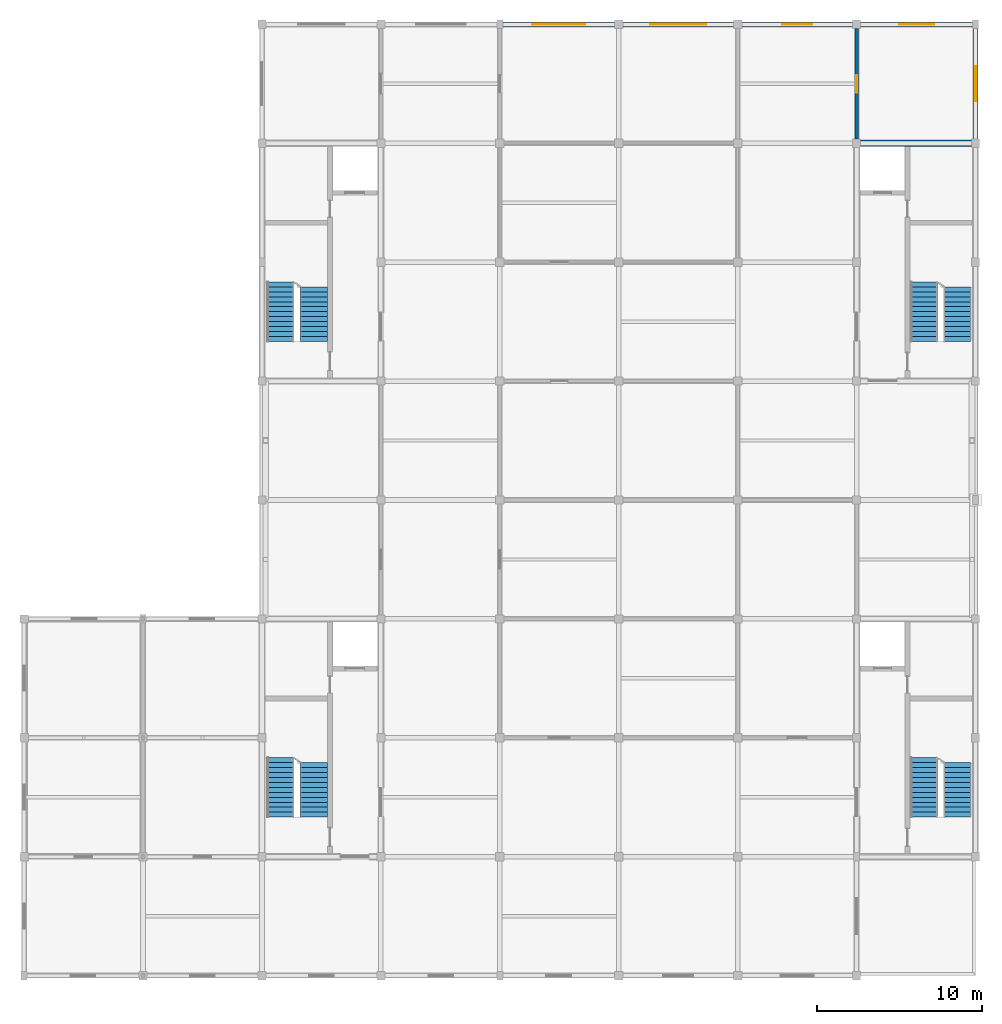
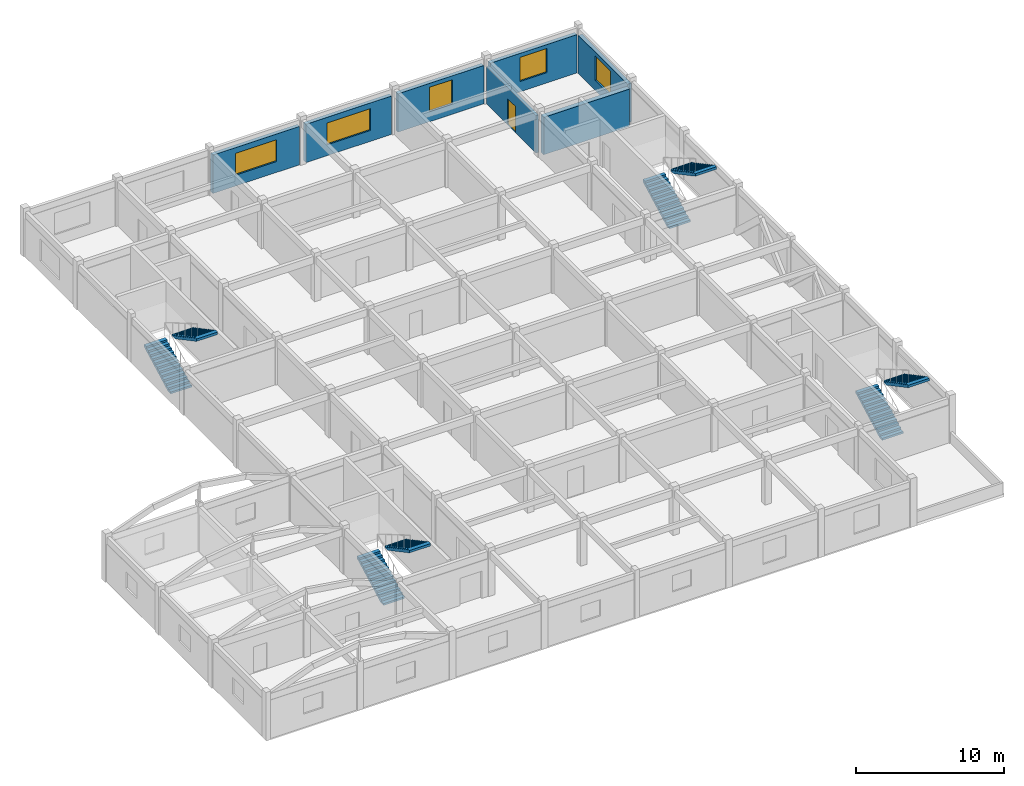
# One storey, part 9 of 10: 8 stair flights, 7 walls, 5 windows, 1 door, 6 openings, 4 elements without a shape of their own.
"""IFC4 building model written with IfcOpenShell, lengths in metres."""

from ifc_helpers import new_model, si_unit, direction, frame, frame_2d, origin, place, context, subcontext, project, spatial, polyline, rectangle, outline, extrude, material, layer, layer_set, type_object, element, fill, aggregate, save


model = new_model("IFC4")

# Units and contexts
model_context = context("Model", 3, precision=1e-05, world=origin(), true_north=direction((0.0, 1.0)))
body_context = subcontext(model_context, "Body", "Model", "MODEL_VIEW")
ifc_project = project(units=[si_unit("LENGTHUNIT", "METRE"), si_unit("AREAUNIT", "SQUARE_METRE"), si_unit("VOLUMEUNIT", "CUBIC_METRE"), si_unit("PLANEANGLEUNIT", "RADIAN"), si_unit("MASSUNIT", "GRAM", prefix="KILO")], contexts=[model_context])

# Site, building, storey
site_placement = place(None, origin())
site = spatial("IfcSite", under=ifc_project, at=site_placement, CompositionType="ELEMENT")
building_placement = place(site_placement, origin())
building = spatial("IfcBuilding", under=site, at=building_placement, Name="Cendaluz Park School", CompositionType="ELEMENT")
storey_placement = place(building_placement, frame((0.0, 0.0, 51.0)))
storey = spatial("IfcBuildingStorey", under=building, at=storey_placement, Name="L12", CompositionType="ELEMENT", Elevation=51.0)

# Wall, opening, door
ifc_material_1 = material(Name="Gypsum Plasterboard on Cold-Formed Stud", Category="gypsum")
ifc_layer_1 = layer(ifc_material_1, 0.199951171875)
ifc_layer_set_1 = layer_set([ifc_layer_1], Name="Gypsum Plasterboard on Cold-Formed Stud")
wall_type_1 = type_object("IfcWallType", Name="W-AC20", PredefinedType="PARTITIONING", material=ifc_layer_set_1)
wall_1_placement = place(storey_placement, frame((100.800048828125, 57.85009765625, 0.0), z_axis=(0.0, 0.0, 1.0), x_axis=(0.0, 1.0, 0.0)))
wall_1 = element("IfcWall", 1, at=wall_1_placement, inside=storey, type_object=wall_type_1, Name="WL-FM-BN5", PredefinedType="PARTITIONING", context=body_context, shape_type="SweptSolid", body=[
    extrude(rectangle(XDim=6.699951171875, YDim=0.199951171875, at=frame_2d((3.35009765625, 0.0))), origin(), (0.0, 0.0, 1.0), 3.090087890625),
])
opening_1_placement = place(wall_1_placement, frame((2.820068359375, 0.0, 0.0)))
opening_1 = element("IfcOpeningElement", 2, at=opening_1_placement, cuts=wall_1, Name="Opening DCL-04", PredefinedType="OPENING", context=body_context, shape_type="SweptSolid", body=[
    extrude(rectangle(XDim=1.06005859375, YDim=2.159912109375, at=frame_2d((0.530029296875, 1.080078125))), frame((0.0, 0.112060546875, 0.0), z_axis=(0.0, -1.0, 0.0), x_axis=(1.0, 0.0, 0.0)), (0.0, 0.0, 1.0), 0.223876953125),
])
ifc_material_2 = material(Name="Solid Core Hardwood", Category="wood")
door_type = type_object("IfcDoorType", Name="DCL-04", OperationType="NOTDEFINED", PredefinedType="DOOR", material=ifc_material_2)
door_placement = place(opening_1_placement, frame((1.06005859375, 0.0, 0.0), z_axis=(0.0, 0.0, 1.0), x_axis=(-1.0, 0.0, 0.0)))
door = element("IfcDoor", 3, at=door_placement, inside=storey, type_object=door_type, Name="D-L12-029", OperationType="SINGLE_SWING_RIGHT", OverallHeight=2.159912109375, OverallWidth=1.06005859375, PredefinedType="DOOR", context=body_context, shape_type="SweptSolid", body=[
    extrude(rectangle(XDim=1.06005859375, YDim=2.159912109375, at=frame_2d((0.530029296875, 1.080078125))), frame((0.0, 0.02490234375, 0.0), z_axis=(0.0, -1.0, 0.0), x_axis=(1.0, 0.0, 0.0)), (0.0, 0.0, 1.0), 0.050048828125),
])
fill(opening_1, door)

# Wall, opening, window
ifc_material_3 = material(Name="Cross-laminated timber CLT C24", Category="wood")
ifc_layer_2 = layer(ifc_material_3, 0.300048828125)
ifc_layer_set_2 = layer_set([ifc_layer_2], Name="Cross-laminated timber CLT C24")
wall_type_2 = type_object("IfcWallType", Name="W-EX30", PredefinedType="SOLIDWALL", material=ifc_layer_set_2)
wall_2_placement = place(storey_placement, frame((79.3798828125, 64.800048828125, 0.0), z_axis=(0.0, 0.0, 1.0), x_axis=(1.0, 0.0, 0.0)))
wall_2 = element("IfcWall", 4, at=wall_2_placement, inside=storey, type_object=wall_type_2, Name="WL-FM-AB5", PredefinedType="SOLIDWALL", context=body_context, shape_type="SweptSolid", body=[
    extrude(rectangle(XDim=6.77001953125, YDim=0.300048828125, at=frame_2d((3.385009765625, 0.0))), origin(), (0.0, 0.0, 1.0), 3.169921875),
])
opening_2_placement = place(wall_2_placement, frame((1.784912109375, 0.0, 0.89990234375)))
opening_2 = element("IfcOpeningElement", 5, at=opening_2_placement, cuts=wall_2, Name="Opening WN-08", PredefinedType="OPENING", context=body_context, shape_type="SweptSolid", body=[
    extrude(rectangle(XDim=3.199951171875, YDim=1.800048828125, at=frame_2d((1.60009765625, 0.89990234375))), frame((0.0, 0.162109375, 0.0), z_axis=(0.0, -1.0, 0.0), x_axis=(1.0, 0.0, 0.0)), (0.0, 0.0, 1.0), 0.323974609375),
])
ifc_material_4 = material(Name="Tempered Low-E Double Glazing", Category="glass")
window_type_1 = type_object("IfcWindowType", Name="WN-08", PartitioningType="SINGLE_PANEL", PredefinedType="WINDOW", material=ifc_material_4)
window_1_placement = place(opening_2_placement, origin())
window_1 = element("IfcWindow", 6, at=window_1_placement, inside=storey, type_object=window_type_1, Name="WN-L12-014", OverallHeight=1.800048828125, OverallWidth=3.199951171875, PartitioningType="SINGLE_PANEL", PredefinedType="WINDOW", context=body_context, shape_type="SweptSolid", body=[
    extrude(rectangle(XDim=3.199951171875, YDim=1.800048828125, at=frame_2d((1.60009765625, 0.89990234375))), frame((0.0, 0.030029296875, 0.0), z_axis=(0.0, -1.0, 0.0), x_axis=(1.0, 0.0, 0.0)), (0.0, 0.0, 1.0), 0.06005859375),
])
fill(opening_2, window_1)

wall_3_placement = place(storey_placement, frame((86.64990234375, 64.800048828125, 0.0), z_axis=(0.0, 0.0, 1.0), x_axis=(1.0, 0.0, 0.0)))
wall_3 = element("IfcWall", 7, at=wall_3_placement, inside=storey, type_object=wall_type_2, Name="WL-FM-AB7", PredefinedType="SOLIDWALL", context=body_context, shape_type="SweptSolid", body=[
    extrude(rectangle(XDim=6.7001953125, YDim=0.300048828125, at=frame_2d((3.35009765625, 0.0))), origin(), (0.0, 0.0, 1.0), 3.169921875),
])
opening_3_placement = place(wall_3_placement, frame((1.64990234375, 0.0, 0.89990234375)))
opening_3 = element("IfcOpeningElement", 8, at=opening_3_placement, cuts=wall_3, Name="Opening WN-09", PredefinedType="OPENING", context=body_context, shape_type="SweptSolid", body=[
    extrude(rectangle(XDim=3.39990234375, YDim=1.800048828125, at=frame_2d((1.699951171875, 0.89990234375))), frame((0.0, 0.162109375, 0.0), z_axis=(0.0, -1.0, 0.0), x_axis=(1.0, 0.0, 0.0)), (0.0, 0.0, 1.0), 0.323974609375),
])
window_type_2 = type_object("IfcWindowType", Name="WN-09", PartitioningType="SINGLE_PANEL", PredefinedType="WINDOW", material=ifc_material_4)
window_2_placement = place(opening_3_placement, origin())
window_2 = element("IfcWindow", 9, at=window_2_placement, inside=storey, type_object=window_type_2, Name="WN-L12-016", OverallHeight=1.800048828125, OverallWidth=3.39990234375, PartitioningType="SINGLE_PANEL", PredefinedType="WINDOW", context=body_context, shape_type="SweptSolid", body=[
    extrude(rectangle(XDim=3.39990234375, YDim=1.800048828125, at=frame_2d((1.699951171875, 0.89990234375))), frame((0.0, 0.030029296875, 0.0), z_axis=(0.0, -1.0, 0.0), x_axis=(1.0, 0.0, 0.0)), (0.0, 0.0, 1.0), 0.06005859375),
])
fill(opening_3, window_2)

wall_4_placement = place(storey_placement, frame((93.85009765625, 64.800048828125, 0.0), z_axis=(0.0, 0.0, 1.0), x_axis=(1.0, 0.0, 0.0)))
wall_4 = element("IfcWall", 10, at=wall_4_placement, inside=storey, type_object=wall_type_2, Name="WL-FM-AC0", PredefinedType="SOLIDWALL", context=body_context, shape_type="SweptSolid", body=[
    extrude(rectangle(XDim=6.699951171875, YDim=0.300048828125, at=frame_2d((3.35009765625, 0.0))), origin(), (0.0, 0.0, 1.0), 3.169921875),
])
opening_4_placement = place(wall_4_placement, frame((2.449951171875, 0.0, 0.85009765625)))
opening_4 = element("IfcOpeningElement", 11, at=opening_4_placement, cuts=wall_4, Name="Opening WN-10", PredefinedType="OPENING", context=body_context, shape_type="SweptSolid", body=[
    extrude(rectangle(XDim=1.800048828125, YDim=2.0, at=frame_2d((0.89990234375, 1.0))), frame((0.0, 0.162109375, 0.0), z_axis=(0.0, -1.0, 0.0), x_axis=(1.0, 0.0, 0.0)), (0.0, 0.0, 1.0), 0.323974609375),
])
window_type_3 = type_object("IfcWindowType", Name="WN-10", PartitioningType="SINGLE_PANEL", PredefinedType="WINDOW", material=ifc_material_4)
window_3_placement = place(opening_4_placement, origin())
window_3 = element("IfcWindow", 12, at=window_3_placement, inside=storey, type_object=window_type_3, Name="WN-L12-019", OverallHeight=2.0, OverallWidth=1.800048828125, PartitioningType="SINGLE_PANEL", PredefinedType="WINDOW", context=body_context, shape_type="SweptSolid", body=[
    extrude(rectangle(XDim=1.800048828125, YDim=2.0, at=frame_2d((0.89990234375, 1.0))), frame((0.0, 0.030029296875, 0.0), z_axis=(0.0, -1.0, 0.0), x_axis=(1.0, 0.0, 0.0)), (0.0, 0.0, 1.0), 0.06005859375),
])
fill(opening_4, window_3)

wall_5_placement = place(storey_placement, frame((101.050048828125, 64.800048828125, 0.0), z_axis=(0.0, 0.0, 1.0), x_axis=(1.0, 0.0, 0.0)))
wall_5 = element("IfcWall", 13, at=wall_5_placement, inside=storey, type_object=wall_type_2, Name="WL-FM-AC3", PredefinedType="SOLIDWALL", context=body_context, shape_type="SweptSolid", body=[
    extrude(rectangle(XDim=6.77001953125, YDim=0.300048828125, at=frame_2d((3.385009765625, 0.0))), origin(), (0.0, 0.0, 1.0), 3.169921875),
])
opening_5_placement = place(wall_5_placement, frame((2.3349609375, 0.0, 0.85009765625)))
opening_5 = element("IfcOpeningElement", 14, at=opening_5_placement, cuts=wall_5, Name="Opening WN-11", PredefinedType="OPENING", context=body_context, shape_type="SweptSolid", body=[
    extrude(rectangle(XDim=2.10009765625, YDim=2.0, at=frame_2d((1.050048828125, 1.0))), frame((0.0, 0.162109375, 0.0), z_axis=(0.0, -1.0, 0.0), x_axis=(1.0, 0.0, 0.0)), (0.0, 0.0, 1.0), 0.323974609375),
])
window_type_4 = type_object("IfcWindowType", Name="WN-11", PartitioningType="SINGLE_PANEL", PredefinedType="WINDOW", material=ifc_material_4)
window_4_placement = place(opening_5_placement, origin())
window_4 = element("IfcWindow", 15, at=window_4_placement, inside=storey, type_object=window_type_4, Name="WN-L12-020", OverallHeight=2.0, OverallWidth=2.10009765625, PartitioningType="SINGLE_PANEL", PredefinedType="WINDOW", context=body_context, shape_type="SweptSolid", body=[
    extrude(rectangle(XDim=2.10009765625, YDim=2.0, at=frame_2d((1.050048828125, 1.0))), frame((0.0, 0.030029296875, 0.0), z_axis=(0.0, -1.0, 0.0), x_axis=(1.0, 0.0, 0.0)), (0.0, 0.0, 1.0), 0.06005859375),
])
fill(opening_5, window_4)

wall_6_placement = place(storey_placement, frame((108.0, 57.85009765625, 0.0), z_axis=(0.0, 0.0, 1.0), x_axis=(0.0, 1.0, 0.0)))
wall_6 = element("IfcWall", 16, at=wall_6_placement, inside=storey, type_object=wall_type_2, Name="WL-FM-AC4", PredefinedType="SOLIDWALL", context=body_context, shape_type="SweptSolid", body=[
    extrude(rectangle(XDim=6.68994140625, YDim=0.300048828125, at=frame_2d((3.344970703125, 0.0))), origin(), (0.0, 0.0, 1.0), 3.169921875),
])
opening_6_placement = place(wall_6_placement, frame((2.294921875, 0.0, 0.85009765625)))
opening_6 = element("IfcOpeningElement", 17, at=opening_6_placement, cuts=wall_6, Name="Opening WN-11", PredefinedType="OPENING", context=body_context, shape_type="SweptSolid", body=[
    extrude(rectangle(XDim=2.10009765625, YDim=2.0, at=frame_2d((1.050048828125, 1.0))), frame((0.0, 0.162109375, 0.0), z_axis=(0.0, -1.0, 0.0), x_axis=(1.0, 0.0, 0.0)), (0.0, 0.0, 1.0), 0.323974609375),
])
window_5_placement = place(opening_6_placement, origin())
window_5 = element("IfcWindow", 18, at=window_5_placement, inside=storey, type_object=window_type_4, Name="WN-L12-021", OverallHeight=2.0, OverallWidth=2.10009765625, PartitioningType="SINGLE_PANEL", PredefinedType="WINDOW", context=body_context, shape_type="SweptSolid", body=[
    extrude(rectangle(XDim=2.10009765625, YDim=2.0, at=frame_2d((1.050048828125, 1.0))), frame((0.0, 0.030029296875, 0.0), z_axis=(0.0, -1.0, 0.0), x_axis=(1.0, 0.0, 0.0)), (0.0, 0.0, 1.0), 0.06005859375),
])
fill(opening_6, window_5)

# Wall
ifc_material_5 = material(Name="Concrete C40/50", Category="concrete")
ifc_layer_3 = layer(ifc_material_5, 0.3798828125)
ifc_layer_set_3 = layer_set([ifc_layer_3], Name="Concrete C40/50")
wall_type_3 = type_object("IfcWallType", Name="W-SH38", PredefinedType="SHEAR", material=ifc_layer_set_3)
wall_7_placement = place(storey_placement, frame((101.050048828125, 57.60009765625, 0.0), z_axis=(0.0, 0.0, 1.0), x_axis=(1.0, 0.0, 0.0)))
element("IfcWall", 19, at=wall_7_placement, inside=storey, type_object=wall_type_3, Name="WL-FM-BJ9", PredefinedType="SHEAR", context=body_context, shape_type="SweptSolid", body=[
    extrude(rectangle(XDim=6.699951171875, YDim=0.3798828125, at=frame_2d((3.35009765625, 0.0))), origin(), (0.0, 0.0, 1.0), 3.090087890625),
])

# Stair, stair flight
stair_type = type_object("IfcStairType", Name="ST-400-165", PredefinedType="HALF_TURN_STAIR", material=ifc_material_3)
stair_1_placement = place(storey_placement, origin())
stair_1 = element("IfcStair", 20, at=stair_1_placement, inside=storey, type_object=stair_type, Name="ST-L12-C1", PredefinedType="HALF_TURN_STAIR")
stair_flight_type_1 = type_object("IfcStairFlightType", Name="SF-12-160-165", PredefinedType="STRAIGHT", material=ifc_material_3)
stair_flight_1_placement = place(storey_placement, frame((67.93505859375, 20.10009765625, 2.080078125), z_axis=(0.0, 0.0, 1.0), x_axis=(0.0, -1.0, 0.0)))
stair_flight_1 = element("IfcStairFlight", 21, at=stair_flight_1_placement, type_object=stair_flight_type_1, Name="SF-L12-C1-2", NumberOfRisers=12, NumberOfTreads=11, PredefinedType="STRAIGHT", RiserHeight=0.16, TreadLength=0.3, context=body_context, shape_type="SweptSolid", body=[
    extrude(outline(polyline([(0.0, 0.0), (0.0, 0.159912109375), (0.300048828125, 0.159912109375), (0.300048828125, 0.320068359375), (0.60009765625, 0.320068359375), (0.60009765625, 0.47998046875), (0.89990234375, 0.47998046875), (0.89990234375, 0.639892578125), (1.199951171875, 0.639892578125), (1.199951171875, 0.800048828125), (1.5, 0.800048828125), (1.5, 0.9599609375), (1.800048828125, 0.9599609375), (1.800048828125, 1.1201171875), (2.10009765625, 1.1201171875), (2.10009765625, 1.280029296875), (2.39990234375, 1.280029296875), (2.39990234375, 1.43994140625), (2.699951171875, 1.43994140625), (2.699951171875, 1.60009765625), (3.0, 1.60009765625), (3.0, 1.760009765625), (3.300048828125, 1.760009765625), (3.300048828125, 1.919921875), (3.300048828125, 1.55615234375), (0.38232421875, 0.0), (0.0, 0.0)])), frame((0.0, 0.824951171875, 0.0), z_axis=(0.0, -1.0, 0.0), x_axis=(1.0, 0.0, 0.0)), (0.0, 0.0, 1.0), 1.64990234375),
])

stair_2_placement = place(storey_placement, origin())
stair_2 = element("IfcStair", 22, at=stair_2_placement, inside=storey, type_object=stair_type, Name="ST-L12-C2", PredefinedType="HALF_TURN_STAIR")
stair_flight_2_placement = place(storey_placement, frame((106.885009765625, 20.10009765625, 2.080078125), z_axis=(0.0, 0.0, 1.0), x_axis=(0.0, -1.0, 0.0)))
stair_flight_2 = element("IfcStairFlight", 23, at=stair_flight_2_placement, type_object=stair_flight_type_1, Name="SF-L12-C2-2", NumberOfRisers=12, NumberOfTreads=11, PredefinedType="STRAIGHT", RiserHeight=0.16, TreadLength=0.3, context=body_context, shape_type="SweptSolid", body=[
    extrude(outline(polyline([(0.0, 0.0), (0.0, 0.159912109375), (0.300048828125, 0.159912109375), (0.300048828125, 0.320068359375), (0.60009765625, 0.320068359375), (0.60009765625, 0.47998046875), (0.89990234375, 0.47998046875), (0.89990234375, 0.639892578125), (1.199951171875, 0.639892578125), (1.199951171875, 0.800048828125), (1.5, 0.800048828125), (1.5, 0.9599609375), (1.800048828125, 0.9599609375), (1.800048828125, 1.1201171875), (2.10009765625, 1.1201171875), (2.10009765625, 1.280029296875), (2.39990234375, 1.280029296875), (2.39990234375, 1.43994140625), (2.699951171875, 1.43994140625), (2.699951171875, 1.60009765625), (3.0, 1.60009765625), (3.0, 1.760009765625), (3.300048828125, 1.760009765625), (3.300048828125, 1.919921875), (3.300048828125, 1.55615234375), (0.38232421875, 0.0), (0.0, 0.0)])), frame((0.0, 0.824951171875, 0.0), z_axis=(0.0, -1.0, 0.0), x_axis=(1.0, 0.0, 0.0)), (0.0, 0.0, 1.0), 1.64990234375),
])

stair_3_placement = place(storey_placement, origin())
stair_3 = element("IfcStair", 24, at=stair_3_placement, inside=storey, type_object=stair_type, Name="ST-L12-C3", PredefinedType="HALF_TURN_STAIR")
stair_flight_3_placement = place(storey_placement, frame((67.93505859375, 48.89990234375, 2.080078125), z_axis=(0.0, 0.0, 1.0), x_axis=(0.0, -1.0, 0.0)))
stair_flight_3 = element("IfcStairFlight", 25, at=stair_flight_3_placement, type_object=stair_flight_type_1, Name="SF-L12-C3-2", NumberOfRisers=12, NumberOfTreads=11, PredefinedType="STRAIGHT", RiserHeight=0.16, TreadLength=0.3, context=body_context, shape_type="SweptSolid", body=[
    extrude(outline(polyline([(0.0, 0.0), (0.0, 0.159912109375), (0.300048828125, 0.159912109375), (0.300048828125, 0.320068359375), (0.60009765625, 0.320068359375), (0.60009765625, 0.47998046875), (0.89990234375, 0.47998046875), (0.89990234375, 0.639892578125), (1.199951171875, 0.639892578125), (1.199951171875, 0.800048828125), (1.5, 0.800048828125), (1.5, 0.9599609375), (1.800048828125, 0.9599609375), (1.800048828125, 1.1201171875), (2.10009765625, 1.1201171875), (2.10009765625, 1.280029296875), (2.39990234375, 1.280029296875), (2.39990234375, 1.43994140625), (2.699951171875, 1.43994140625), (2.699951171875, 1.60009765625), (3.0, 1.60009765625), (3.0, 1.760009765625), (3.300048828125, 1.760009765625), (3.300048828125, 1.919921875), (3.300048828125, 1.55615234375), (0.38232421875, 0.0), (0.0, 0.0)])), frame((0.0, 0.824951171875, 0.0), z_axis=(0.0, -1.0, 0.0), x_axis=(1.0, 0.0, 0.0)), (0.0, 0.0, 1.0), 1.64990234375),
])

stair_4_placement = place(storey_placement, origin())
stair_4 = element("IfcStair", 26, at=stair_4_placement, inside=storey, type_object=stair_type, Name="ST-L12-C4", PredefinedType="HALF_TURN_STAIR")
stair_flight_4_placement = place(storey_placement, frame((106.885009765625, 48.89990234375, 2.080078125), z_axis=(0.0, 0.0, 1.0), x_axis=(0.0, -1.0, 0.0)))
stair_flight_4 = element("IfcStairFlight", 27, at=stair_flight_4_placement, type_object=stair_flight_type_1, Name="SF-L12-C4-2", NumberOfRisers=12, NumberOfTreads=11, PredefinedType="STRAIGHT", RiserHeight=0.16, TreadLength=0.3, context=body_context, shape_type="SweptSolid", body=[
    extrude(outline(polyline([(0.0, 0.0), (0.0, 0.159912109375), (0.300048828125, 0.159912109375), (0.300048828125, 0.320068359375), (0.60009765625, 0.320068359375), (0.60009765625, 0.47998046875), (0.89990234375, 0.47998046875), (0.89990234375, 0.639892578125), (1.199951171875, 0.639892578125), (1.199951171875, 0.800048828125), (1.5, 0.800048828125), (1.5, 0.9599609375), (1.800048828125, 0.9599609375), (1.800048828125, 1.1201171875), (2.10009765625, 1.1201171875), (2.10009765625, 1.280029296875), (2.39990234375, 1.280029296875), (2.39990234375, 1.43994140625), (2.699951171875, 1.43994140625), (2.699951171875, 1.60009765625), (3.0, 1.60009765625), (3.0, 1.760009765625), (3.300048828125, 1.760009765625), (3.300048828125, 1.919921875), (3.300048828125, 1.55615234375), (0.38232421875, 0.0), (0.0, 0.0)])), frame((0.0, 0.824951171875, 0.0), z_axis=(0.0, -1.0, 0.0), x_axis=(1.0, 0.0, 0.0)), (0.0, 0.0, 1.0), 1.64990234375),
])

# Stair flight
stair_flight_type_2 = type_object("IfcStairFlightType", Name="SF-13-160-165", PredefinedType="STRAIGHT", material=ifc_material_3)
stair_flight_5_placement = place(storey_placement, frame((65.9150390625, 16.800048828125, 0.0), z_axis=(0.0, 0.0, 1.0), x_axis=(0.0, 1.0, 0.0)))
stair_flight_5 = element("IfcStairFlight", 28, at=stair_flight_5_placement, type_object=stair_flight_type_2, Name="SF-L12-C1-1", NumberOfRisers=13, NumberOfTreads=12, PredefinedType="STRAIGHT", RiserHeight=0.16, TreadLength=0.3, context=body_context, shape_type="SweptSolid", body=[
    extrude(outline(polyline([(0.0, 0.0), (0.0, 0.159912109375), (0.300048828125, 0.159912109375), (0.300048828125, 0.320068359375), (0.60009765625, 0.320068359375), (0.60009765625, 0.47998046875), (0.89990234375, 0.47998046875), (0.89990234375, 0.639892578125), (1.199951171875, 0.639892578125), (1.199951171875, 0.800048828125), (1.5, 0.800048828125), (1.5, 0.9599609375), (1.800048828125, 0.9599609375), (1.800048828125, 1.1201171875), (2.10009765625, 1.1201171875), (2.10009765625, 1.280029296875), (2.39990234375, 1.280029296875), (2.39990234375, 1.43994140625), (2.699951171875, 1.43994140625), (2.699951171875, 1.60009765625), (3.0, 1.60009765625), (3.0, 1.760009765625), (3.300048828125, 1.760009765625), (3.300048828125, 1.919921875), (3.60009765625, 1.919921875), (3.60009765625, 2.080078125), (3.60009765625, 1.716064453125), (0.38232421875, 0.0), (0.0, 0.0)])), frame((0.0, 0.824951171875, 0.0), z_axis=(0.0, -1.0, 0.0), x_axis=(1.0, 0.0, 0.0)), (0.0, 0.0, 1.0), 1.64990234375),
])

aggregate(stair_1, [stair_flight_5, stair_flight_1])

stair_flight_6_placement = place(storey_placement, frame((104.864990234375, 16.800048828125, 0.0), z_axis=(0.0, 0.0, 1.0), x_axis=(0.0, 1.0, 0.0)))
stair_flight_6 = element("IfcStairFlight", 29, at=stair_flight_6_placement, type_object=stair_flight_type_2, Name="SF-L12-C2-1", NumberOfRisers=13, NumberOfTreads=12, PredefinedType="STRAIGHT", RiserHeight=0.16, TreadLength=0.3, context=body_context, shape_type="SweptSolid", body=[
    extrude(outline(polyline([(0.0, 0.0), (0.0, 0.159912109375), (0.300048828125, 0.159912109375), (0.300048828125, 0.320068359375), (0.60009765625, 0.320068359375), (0.60009765625, 0.47998046875), (0.89990234375, 0.47998046875), (0.89990234375, 0.639892578125), (1.199951171875, 0.639892578125), (1.199951171875, 0.800048828125), (1.5, 0.800048828125), (1.5, 0.9599609375), (1.800048828125, 0.9599609375), (1.800048828125, 1.1201171875), (2.10009765625, 1.1201171875), (2.10009765625, 1.280029296875), (2.39990234375, 1.280029296875), (2.39990234375, 1.43994140625), (2.699951171875, 1.43994140625), (2.699951171875, 1.60009765625), (3.0, 1.60009765625), (3.0, 1.760009765625), (3.300048828125, 1.760009765625), (3.300048828125, 1.919921875), (3.60009765625, 1.919921875), (3.60009765625, 2.080078125), (3.60009765625, 1.716064453125), (0.38232421875, 0.0), (0.0, 0.0)])), frame((0.0, 0.824951171875, 0.0), z_axis=(0.0, -1.0, 0.0), x_axis=(1.0, 0.0, 0.0)), (0.0, 0.0, 1.0), 1.64990234375),
])

aggregate(stair_2, [stair_flight_6, stair_flight_2])

stair_flight_7_placement = place(storey_placement, frame((65.9150390625, 45.60009765625, 0.0), z_axis=(0.0, 0.0, 1.0), x_axis=(0.0, 1.0, 0.0)))
stair_flight_7 = element("IfcStairFlight", 30, at=stair_flight_7_placement, type_object=stair_flight_type_2, Name="SF-L12-C3-1", NumberOfRisers=13, NumberOfTreads=12, PredefinedType="STRAIGHT", RiserHeight=0.16, TreadLength=0.3, context=body_context, shape_type="SweptSolid", body=[
    extrude(outline(polyline([(0.0, 0.0), (0.0, 0.159912109375), (0.300048828125, 0.159912109375), (0.300048828125, 0.320068359375), (0.60009765625, 0.320068359375), (0.60009765625, 0.47998046875), (0.89990234375, 0.47998046875), (0.89990234375, 0.639892578125), (1.199951171875, 0.639892578125), (1.199951171875, 0.800048828125), (1.5, 0.800048828125), (1.5, 0.9599609375), (1.800048828125, 0.9599609375), (1.800048828125, 1.1201171875), (2.10009765625, 1.1201171875), (2.10009765625, 1.280029296875), (2.39990234375, 1.280029296875), (2.39990234375, 1.43994140625), (2.699951171875, 1.43994140625), (2.699951171875, 1.60009765625), (3.0, 1.60009765625), (3.0, 1.760009765625), (3.300048828125, 1.760009765625), (3.300048828125, 1.919921875), (3.60009765625, 1.919921875), (3.60009765625, 2.080078125), (3.60009765625, 1.716064453125), (0.38232421875, 0.0), (0.0, 0.0)])), frame((0.0, 0.824951171875, 0.0), z_axis=(0.0, -1.0, 0.0), x_axis=(1.0, 0.0, 0.0)), (0.0, 0.0, 1.0), 1.64990234375),
])

aggregate(stair_3, [stair_flight_7, stair_flight_3])

stair_flight_8_placement = place(storey_placement, frame((104.864990234375, 45.60009765625, 0.0), z_axis=(0.0, 0.0, 1.0), x_axis=(0.0, 1.0, 0.0)))
stair_flight_8 = element("IfcStairFlight", 31, at=stair_flight_8_placement, type_object=stair_flight_type_2, Name="SF-L12-C4-1", NumberOfRisers=13, NumberOfTreads=12, PredefinedType="STRAIGHT", RiserHeight=0.16, TreadLength=0.3, context=body_context, shape_type="SweptSolid", body=[
    extrude(outline(polyline([(0.0, 0.0), (0.0, 0.159912109375), (0.300048828125, 0.159912109375), (0.300048828125, 0.320068359375), (0.60009765625, 0.320068359375), (0.60009765625, 0.47998046875), (0.89990234375, 0.47998046875), (0.89990234375, 0.639892578125), (1.199951171875, 0.639892578125), (1.199951171875, 0.800048828125), (1.5, 0.800048828125), (1.5, 0.9599609375), (1.800048828125, 0.9599609375), (1.800048828125, 1.1201171875), (2.10009765625, 1.1201171875), (2.10009765625, 1.280029296875), (2.39990234375, 1.280029296875), (2.39990234375, 1.43994140625), (2.699951171875, 1.43994140625), (2.699951171875, 1.60009765625), (3.0, 1.60009765625), (3.0, 1.760009765625), (3.300048828125, 1.760009765625), (3.300048828125, 1.919921875), (3.60009765625, 1.919921875), (3.60009765625, 2.080078125), (3.60009765625, 1.716064453125), (0.38232421875, 0.0), (0.0, 0.0)])), frame((0.0, 0.824951171875, 0.0), z_axis=(0.0, -1.0, 0.0), x_axis=(1.0, 0.0, 0.0)), (0.0, 0.0, 1.0), 1.64990234375),
])

aggregate(stair_4, [stair_flight_8, stair_flight_4])

save(model, "model.ifc")
